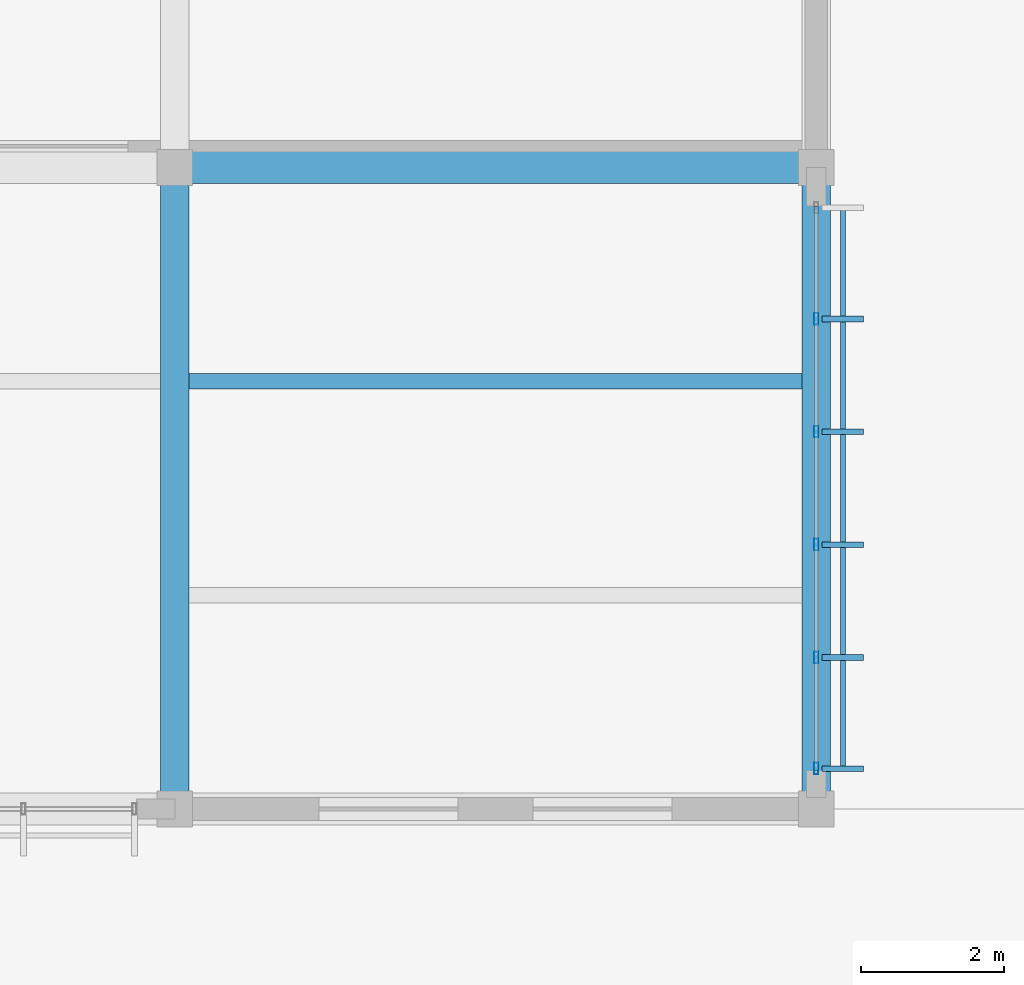
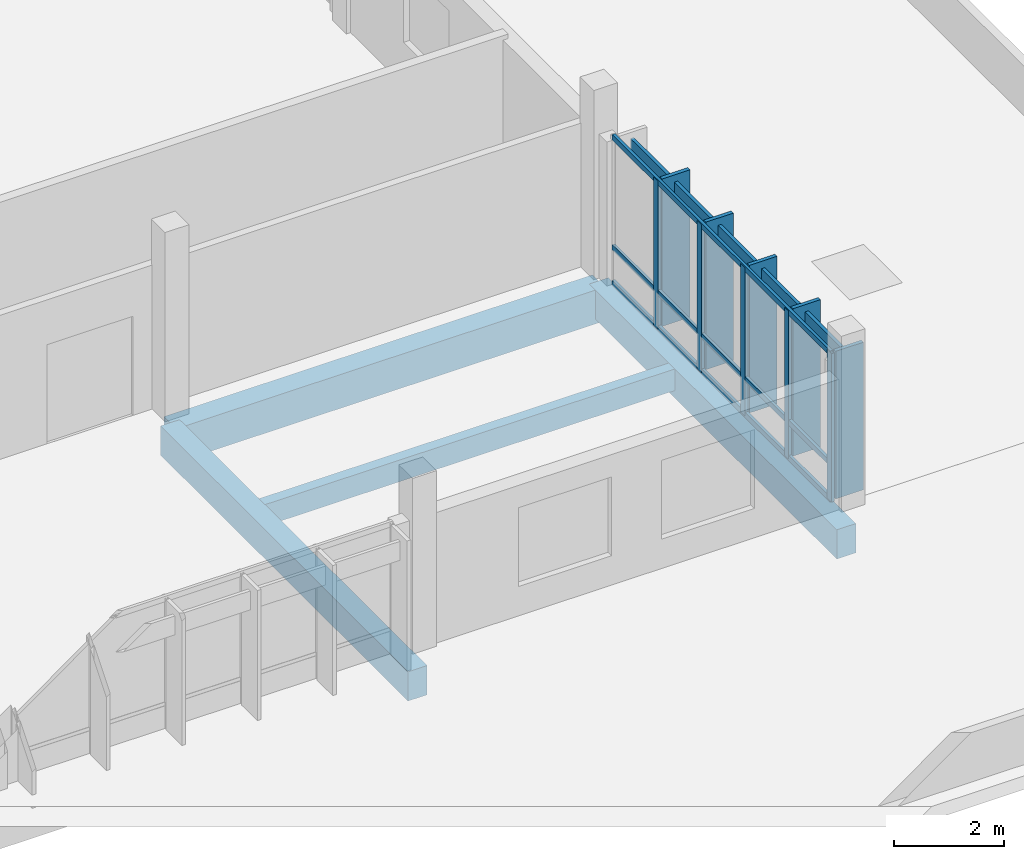
# One storey, part 59 of 107: 14 members, 4 beams, 1 element without a shape of its own.
"""IFC4 building model written with IfcOpenShell, lengths in metres."""

import ifcopenshell
import ifcopenshell.guid

model = None  # the IFC model being written
_history = None  # IfcOwnerHistory: only IFC2X3 demands one
_inside = {}  # id of a spatial element -> (the spatial element, [elements in it])
_under = {}  # id of a project, library or spatial element -> (it, [spatial elements below it])
_declared = {}  # id of a project -> (the project, [libraries it declares])
_typed = {}  # id of a type object -> (the type object, [elements of that type])
_made_of = {}  # id of a material, layer set ... -> (it, [elements and type objects made of it])


def new_model(schema):
    """Start an empty IFC model of exactly this schema.

    Asked for "IFC4X3", IfcOpenShell would pick the latest addendum, in which some entities
    have other attributes; the version numbers below select the first issue.
    IFC2X3 requires an IfcOwnerHistory on every rooted entity: one is made here for all.
    """
    global model, _history
    if schema == "IFC4X3":
        model = ifcopenshell.file(schema_version=(4, 3, 0, 0))
    else:
        model = ifcopenshell.file(schema=schema)
    _inside.clear()
    _under.clear()
    _declared.clear()
    _typed.clear()
    _made_of.clear()
    _history = None
    if model.schema == "IFC2X3":
        org = make("IfcOrganization", Name="unknown")
        user = make(
            "IfcPersonAndOrganization",
            ThePerson=make("IfcPerson", FamilyName="unknown"),
            TheOrganization=org,
        )
        app = make(
            "IfcApplication",
            ApplicationDeveloper=org,
            Version="unknown",
            ApplicationFullName="unknown",
            ApplicationIdentifier="unknown",
        )
        _history = make(
            "IfcOwnerHistory",
            OwningUser=user,
            OwningApplication=app,
            ChangeAction="ADDED",
            CreationDate=0,
        )
    return model


def make(cls, **values):
    """One entity of the class cls with the attributes given. An attribute that is None is left unset."""
    return model.create_entity(
        cls, **{name: value for name, value in values.items() if value is not None}
    )


def rooted(cls, **values):
    """An entity with a GlobalId (a new one), such as an element, a storey or a relation."""
    return make(cls, GlobalId=ifcopenshell.guid.new(), OwnerHistory=_history, **values)


def si_unit(unit_type, name, prefix=None):
    """IfcSIUnit, for example si_unit("LENGTHUNIT", "METRE", prefix="MILLI")."""
    return make("IfcSIUnit", UnitType=unit_type, Prefix=prefix, Name=name)


def assignment(units):
    """IfcUnitAssignment: the units of a project."""
    return None if units is None else make("IfcUnitAssignment", Units=units)


def point(xyz):
    """IfcCartesianPoint."""
    return None if xyz is None else make("IfcCartesianPoint", Coordinates=xyz)


def direction(xyz):
    """IfcDirection."""
    return None if xyz is None else make("IfcDirection", DirectionRatios=xyz)


def frame(location, z_axis=None, x_axis=None):
    """IfcAxis2Placement3D, a coordinate frame: its origin and axes. An axis left out is left unset."""
    return make(
        "IfcAxis2Placement3D",
        Location=point(location),
        Axis=direction(z_axis),
        RefDirection=direction(x_axis),
    )


def frame_2d(location, x_axis=None):
    """IfcAxis2Placement2D, a coordinate frame in the plane: its origin and x axis."""
    return make(
        "IfcAxis2Placement2D", Location=point(location), RefDirection=direction(x_axis)
    )


def origin():
    """The frame at (0, 0, 0) with its axes left unset."""
    return frame((0.0, 0.0, 0.0))


def origin_2d():
    """The frame at (0, 0) in the plane with its x axis left unset."""
    return frame_2d((0.0, 0.0))


def place(relative_to, where):
    """IfcLocalPlacement: puts the frame where relative to a parent placement (None: the world)."""
    return make(
        "IfcLocalPlacement", PlacementRelTo=relative_to, RelativePlacement=where
    )


def context(
    kind, dimensions, precision=None, world=None, true_north=None, identifier=None
):
    """IfcGeometricRepresentationContext, for example the 3D "Model" context."""
    return make(
        "IfcGeometricRepresentationContext",
        ContextIdentifier=identifier,
        ContextType=kind,
        CoordinateSpaceDimension=dimensions,
        Precision=precision,
        WorldCoordinateSystem=world,
        TrueNorth=true_north,
    )


def subcontext(parent, identifier, kind, view, scale=None):
    """IfcGeometricRepresentationSubContext, for example "Body" below "Model"."""
    return make(
        "IfcGeometricRepresentationSubContext",
        ContextIdentifier=identifier,
        ContextType=kind,
        ParentContext=parent,
        TargetScale=scale,
        TargetView=view,
    )


def project(units=None, contexts=None):
    """IfcProject with its units and contexts."""
    return rooted(
        "IfcProject",
        Name="project",
        RepresentationContexts=contexts,
        UnitsInContext=assignment(units),
    )


def spatial(cls, under=None, at=None, **own):
    """A site, building, storey or space (cls), placed at a placement, below another one or the project."""
    s = rooted(cls, ObjectPlacement=at, **own)
    if under is not None:
        _under.setdefault(under.id(), (under, []))[1].append(s)
    return s


def profile(cls, at=None, kind="AREA", **sizes):
    """A parametric profile (cls). Its sizes go by their IFC names, for example OverallWidth=200.0."""
    return make(cls, ProfileType=kind, Position=at, **sizes)


def rectangle(**sizes):
    """IfcRectangleProfileDef."""
    return profile("IfcRectangleProfileDef", **sizes)


def hollow_rectangle(**sizes):
    """IfcRectangleHollowProfileDef."""
    return profile("IfcRectangleHollowProfileDef", **sizes)


def extrude(swept, where, along, depth):
    """IfcExtrudedAreaSolid: the profile swept, set in the frame where, extruded along a direction by depth."""
    return make(
        "IfcExtrudedAreaSolid",
        SweptArea=swept,
        Position=where,
        ExtrudedDirection=direction(along),
        Depth=depth,
    )


def shape(context_of_items, identifier, shape_type, items):
    """IfcShapeRepresentation: the items that make up one representation, for example the "Body"."""
    return make(
        "IfcShapeRepresentation",
        ContextOfItems=context_of_items,
        RepresentationIdentifier=identifier,
        RepresentationType=shape_type,
        Items=items,
    )


def material(Name=None, Category=None):
    """IfcMaterial."""
    return make("IfcMaterial", Name=Name, Category=Category)


def material_profile(
    of_material, cross_section, Name=None, Category=None, Priority=None
):
    """IfcMaterialProfile: a cross section and its material."""
    return make(
        "IfcMaterialProfile",
        Name=Name,
        Material=of_material,
        Profile=cross_section,
        Priority=Priority,
        Category=Category,
    )


def profile_set(profiles, Name=None, composite=None):
    """IfcMaterialProfileSet."""
    return make(
        "IfcMaterialProfileSet",
        Name=Name,
        MaterialProfiles=profiles,
        CompositeProfile=composite,
    )


def made_of(thing, what):
    """Note that an element or type object is made of a material, layer set ...; save() writes the relation."""
    if what is not None:
        _made_of.setdefault(what.id(), (what, []))[1].append(thing)
    return thing


def type_object(cls, material=None, **own):
    """A type object (cls), such as IfcWallType, which elements share."""
    return made_of(rooted(cls, **own), material)


def element(
    cls,
    number,
    at=None,
    inside=None,
    cuts=None,
    type_object=None,
    material=None,
    context=None,
    identifier="Body",
    shape_type=None,
    held_by="IfcProductDefinitionShape",
    body=None,
    shapes=None,
    **own,
):
    """One element of the class cls, such as IfcWall. Its Tag is "e" and its number.

    at: its placement. inside: the storey or other place that contains it. cuts: it is an
    opening in that element (IfcRelVoidsElement). A single representation is given by context,
    identifier, shape_type and body (its items); several are given by shapes. held_by: the class
    of the entity that holds the representations. save() writes the other relations.
    """
    e = rooted(cls, Tag="e%d" % number, ObjectPlacement=at, **own)
    if body is not None:
        shapes = [shape(context, identifier, shape_type, body)]
    if shapes is not None:
        e.Representation = make(held_by, Representations=shapes)
    if inside is not None:
        _inside.setdefault(inside.id(), (inside, []))[1].append(e)
    if cuts is not None:
        rooted(
            "IfcRelVoidsElement", RelatingBuildingElement=cuts, RelatedOpeningElement=e
        )
    if type_object is not None:
        _typed.setdefault(type_object.id(), (type_object, []))[1].append(e)
    return made_of(e, material)


def aggregate(whole, parts):
    """IfcRelAggregates: a whole, such as a stair, and the parts it consists of."""
    return rooted("IfcRelAggregates", RelatingObject=whole, RelatedObjects=parts)


def save(model, path):
    """Write the relations noted so far, then the file.

    IfcRelAggregates (storeys below a building ...), IfcRelContainedInSpatialStructure (elements
    in a storey), IfcRelDefinesByType, IfcRelAssociatesMaterial and IfcRelDeclares: one each for
    every whole, place, type object, material and project.
    """
    for whole, parts in _under.values():
        aggregate(whole, parts)
    for where, things in _inside.values():
        rooted(
            "IfcRelContainedInSpatialStructure",
            RelatedElements=things,
            RelatingStructure=where,
        )
    for kind, things in _typed.values():
        rooted("IfcRelDefinesByType", RelatedObjects=things, RelatingType=kind)
    for what, things in _made_of.values():
        rooted("IfcRelAssociatesMaterial", RelatedObjects=things, RelatingMaterial=what)
    for by, libraries in _declared.values():
        rooted("IfcRelDeclares", RelatingContext=by, RelatedDefinitions=libraries)
    model.write(path)


model = new_model("IFC4")

# Units and contexts
model_context = context("Model", 3, precision=1e-05, world=origin(), true_north=direction((0.0, 1.0)))
body_context = subcontext(model_context, "Body", "Model", "MODEL_VIEW")
ifc_project = project(units=[si_unit("LENGTHUNIT", "METRE"), si_unit("AREAUNIT", "SQUARE_METRE"), si_unit("VOLUMEUNIT", "CUBIC_METRE"), si_unit("PLANEANGLEUNIT", "RADIAN"), si_unit("MASSUNIT", "GRAM", prefix="KILO")], contexts=[model_context])

# Site, building, storey
site_placement = place(None, origin())
site = spatial("IfcSite", under=ifc_project, at=site_placement, CompositionType="ELEMENT")
building_placement = place(site_placement, origin())
building = spatial("IfcBuilding", under=site, at=building_placement, Name="Chiffa Square Polytechnic", CompositionType="ELEMENT")
storey_placement = place(building_placement, frame((0.0, 0.0, 13.800048828125)))
storey = spatial("IfcBuildingStorey", under=building, at=storey_placement, Name="L03", CompositionType="ELEMENT", Elevation=13.800048828125)

# Beams
ifc_material_1 = material(Name="Concrete C35/45", Category="concrete")
ifc_material_profile_1 = material_profile(ifc_material_1, rectangle(XDim=0.39990234375, YDim=0.64990234375, at=origin_2d()), Name="RC 400x650")
ifc_profile_set_1 = profile_set([ifc_material_profile_1], Name="Concrete C35/45")
beam_type_1 = type_object("IfcBeamType", Name="BM-RC-400X650", PredefinedType="BEAM", material=ifc_profile_set_1)
for number, where, z_axis, x_axis, name in (
    (1, (130.199951171875, 103.800048828125, -0.5849609375), (0.0, 1.0, 0.0), (-1.0, 0.0, 0.0), "Primary floor girder BM-V5-L03-Y-1302-1038"),
    (2, (139.199951171875, 103.800048828125, -0.5849609375), (0.0, 1.0, 0.0), (-1.0, 0.0, 0.0), "Primary floor girder BM-V5-L03-Y-1392-1038"),
):
    element("IfcBeam", number, at=place(storey_placement, frame(where, z_axis=z_axis, x_axis=x_axis)), inside=storey, type_object=beam_type_1, Name=name, PredefinedType="BEAM", context=body_context, shape_type="SweptSolid", body=[
        extrude(rectangle(XDim=0.39990234375, YDim=0.64990234375, at=origin_2d()), origin(), (0.0, 0.0, 1.0), 9.0),
    ])
ifc_material_profile_2 = material_profile(ifc_material_1, rectangle(XDim=0.449951171875, YDim=0.75, at=origin_2d()), Name="RC 450x750")
ifc_profile_set_2 = profile_set([ifc_material_profile_2], Name="Concrete C35/45")
beam_type_2 = type_object("IfcBeamType", Name="BM-RC-450X750", PredefinedType="BEAM", material=ifc_profile_set_2)
beam_1_placement = place(storey_placement, frame((130.199951171875, 112.800048828125, -0.635009765625), z_axis=(1.0, 0.0, 0.0), x_axis=(0.0, 1.0, 0.0)))
element("IfcBeam", 3, at=beam_1_placement, inside=storey, type_object=beam_type_2, Name="Primary floor girder BM-V5-L03-X-1302-1128", PredefinedType="BEAM", context=body_context, shape_type="SweptSolid", body=[
    extrude(rectangle(XDim=0.449951171875, YDim=0.75, at=origin_2d()), origin(), (0.0, 0.0, 1.0), 9.0),
])

# Curtain wall, members
ifc_material_2 = material(Name="Aluminium EN AW-6060 T66 and glulam shading", Category="wood")
curtain_wall_type = type_object("IfcCurtainWallType", Name="CW-VERT-360X380", PredefinedType="USERDEFINED", material=ifc_material_2)
curtain_wall_placement = place(storey_placement, origin())
curtain_wall = element("IfcCurtainWall", 4, at=curtain_wall_placement, inside=storey, type_object=curtain_wall_type, Name="Curtain wall CW-V5-L03-229", ObjectType="CURTAIN WALL", PredefinedType="USERDEFINED")
ifc_material_3 = material(Name="Aluminium EN AW-6060 T66", Category="aluminium")
ifc_material_profile_3 = material_profile(ifc_material_3, hollow_rectangle(XDim=0.06005859375, YDim=0.159912109375, WallThickness=0.00390625, at=origin_2d()), Name="ALU 60x160x4")
ifc_profile_set_3 = profile_set([ifc_material_profile_3], Name="Aluminium EN AW-6060 T66")
member_type_1 = type_object("IfcMemberType", Name="CWM-ALU-65X150", PredefinedType="MULLION", material=ifc_profile_set_3)
member_1_placement = place(storey_placement, frame((139.199951171875, 104.364990234375, 0.0), z_axis=(0.0, 0.0, 1.0), x_axis=(1.0, 0.0, 0.0)))
member_1 = element("IfcMember", 5, at=member_1_placement, type_object=member_type_1, Name="Curtain wall mullion CW-V5-L03-229-M00", PredefinedType="MULLION", context=body_context, shape_type="SweptSolid", body=[
    extrude(hollow_rectangle(XDim=0.06005859375, YDim=0.159912109375, WallThickness=0.00390625, at=origin_2d()), origin(), (0.0, 0.0, 1.0), 3.294921875),
])
member_2_placement = place(storey_placement, frame((139.199951171875, 105.924072265625, 0.0), z_axis=(0.0, 0.0, 1.0), x_axis=(1.0, 0.0, 0.0)))
member_2 = element("IfcMember", 6, at=member_2_placement, type_object=member_type_1, Name="Curtain wall mullion CW-V5-L03-229-M01", PredefinedType="MULLION", context=body_context, shape_type="SweptSolid", body=[
    extrude(hollow_rectangle(XDim=0.06005859375, YDim=0.159912109375, WallThickness=0.00390625, at=origin_2d()), origin(), (0.0, 0.0, 1.0), 3.294921875),
])
member_3_placement = place(storey_placement, frame((139.199951171875, 107.508056640625, 0.0), z_axis=(0.0, 0.0, 1.0), x_axis=(1.0, 0.0, 0.0)))
member_3 = element("IfcMember", 7, at=member_3_placement, type_object=member_type_1, Name="Curtain wall mullion CW-V5-L03-229-M02", PredefinedType="MULLION", context=body_context, shape_type="SweptSolid", body=[
    extrude(hollow_rectangle(XDim=0.06005859375, YDim=0.159912109375, WallThickness=0.00390625, at=origin_2d()), origin(), (0.0, 0.0, 1.0), 3.294921875),
])
member_4_placement = place(storey_placement, frame((139.199951171875, 109.092041015625, 0.0), z_axis=(0.0, 0.0, 1.0), x_axis=(1.0, 0.0, 0.0)))
member_4 = element("IfcMember", 8, at=member_4_placement, type_object=member_type_1, Name="Curtain wall mullion CW-V5-L03-229-M03", PredefinedType="MULLION", context=body_context, shape_type="SweptSolid", body=[
    extrude(hollow_rectangle(XDim=0.06005859375, YDim=0.159912109375, WallThickness=0.00390625, at=origin_2d()), origin(), (0.0, 0.0, 1.0), 3.294921875),
])
member_5_placement = place(storey_placement, frame((139.199951171875, 110.676025390625, 0.0), z_axis=(0.0, 0.0, 1.0), x_axis=(1.0, 0.0, 0.0)))
member_5 = element("IfcMember", 9, at=member_5_placement, type_object=member_type_1, Name="Curtain wall mullion CW-V5-L03-229-M04", PredefinedType="MULLION", context=body_context, shape_type="SweptSolid", body=[
    extrude(hollow_rectangle(XDim=0.06005859375, YDim=0.159912109375, WallThickness=0.00390625, at=origin_2d()), origin(), (0.0, 0.0, 1.0), 3.294921875),
])
ifc_material_4 = material(Name="Glulam GL28h", Category="wood")
ifc_material_profile_4 = material_profile(ifc_material_4, rectangle(XDim=0.080078125, YDim=0.580078125, at=origin_2d()), Name="GL28h 80x580")
ifc_profile_set_4 = profile_set([ifc_material_profile_4], Name="Glulam GL28h")
member_type_2 = type_object("IfcMemberType", Name="CWM-GL-80X580", PredefinedType="MULLION", material=ifc_profile_set_4)
member_6_placement = place(storey_placement, frame((139.572021484375, 104.364990234375, 0.010009765625), z_axis=(0.0, 0.0, 1.0), x_axis=(0.0, 1.0, 0.0)))
member_6 = element("IfcMember", 10, at=member_6_placement, type_object=member_type_2, Name="Exterior glulam solar fin CW-V5-L03-229-FN00", PredefinedType="MULLION", context=body_context, shape_type="SweptSolid", body=[
    extrude(rectangle(XDim=0.080078125, YDim=0.580078125, at=origin_2d()), origin(), (0.0, 0.0, 1.0), 3.27490234375),
])
member_7_placement = place(storey_placement, frame((139.572021484375, 105.924072265625, 0.010009765625), z_axis=(0.0, 0.0, 1.0), x_axis=(0.0, 1.0, 0.0)))
member_7 = element("IfcMember", 11, at=member_7_placement, type_object=member_type_2, Name="Exterior glulam solar fin CW-V5-L03-229-FN01", PredefinedType="MULLION", context=body_context, shape_type="SweptSolid", body=[
    extrude(rectangle(XDim=0.080078125, YDim=0.580078125, at=origin_2d()), origin(), (0.0, 0.0, 1.0), 3.27490234375),
])
member_8_placement = place(storey_placement, frame((139.572021484375, 107.508056640625, 0.010009765625), z_axis=(0.0, 0.0, 1.0), x_axis=(0.0, 1.0, 0.0)))
member_8 = element("IfcMember", 12, at=member_8_placement, type_object=member_type_2, Name="Exterior glulam solar fin CW-V5-L03-229-FN02", PredefinedType="MULLION", context=body_context, shape_type="SweptSolid", body=[
    extrude(rectangle(XDim=0.080078125, YDim=0.580078125, at=origin_2d()), origin(), (0.0, 0.0, 1.0), 3.27490234375),
])
member_9_placement = place(storey_placement, frame((139.572021484375, 109.092041015625, 0.010009765625), z_axis=(0.0, 0.0, 1.0), x_axis=(0.0, 1.0, 0.0)))
member_9 = element("IfcMember", 13, at=member_9_placement, type_object=member_type_2, Name="Exterior glulam solar fin CW-V5-L03-229-FN03", PredefinedType="MULLION", context=body_context, shape_type="SweptSolid", body=[
    extrude(rectangle(XDim=0.080078125, YDim=0.580078125, at=origin_2d()), origin(), (0.0, 0.0, 1.0), 3.27490234375),
])
member_10_placement = place(storey_placement, frame((139.572021484375, 110.676025390625, 0.010009765625), z_axis=(0.0, 0.0, 1.0), x_axis=(0.0, 1.0, 0.0)))
member_10 = element("IfcMember", 14, at=member_10_placement, type_object=member_type_2, Name="Exterior glulam solar fin CW-V5-L03-229-FN04", PredefinedType="MULLION", context=body_context, shape_type="SweptSolid", body=[
    extrude(rectangle(XDim=0.080078125, YDim=0.580078125, at=origin_2d()), origin(), (0.0, 0.0, 1.0), 3.27490234375),
])
ifc_material_profile_5 = material_profile(ifc_material_3, hollow_rectangle(XDim=0.06005859375, YDim=0.1201171875, WallThickness=0.00390625, at=origin_2d()), Name="ALU 60x120x4")
ifc_profile_set_5 = profile_set([ifc_material_profile_5], Name="Aluminium EN AW-6060 T66")
member_type_3 = type_object("IfcMemberType", Name="CWT-ALU-65X120", PredefinedType="USERDEFINED", material=ifc_profile_set_5)
member_11_placement = place(storey_placement, frame((139.199951171875, 104.337890625, 0.030029296875), z_axis=(0.0, 1.0, 0.0), x_axis=(-1.0, 0.0, 0.0)))
member_11 = element("IfcMember", 15, at=member_11_placement, type_object=member_type_3, Name="Curtain wall transom CW-V5-L03-229-T01", ObjectType="TRANSOM", PredefinedType="USERDEFINED", context=body_context, shape_type="SweptSolid", body=[
    extrude(hollow_rectangle(XDim=0.06005859375, YDim=0.1201171875, WallThickness=0.00390625, at=origin_2d()), origin(), (0.0, 0.0, 1.0), 7.924072265625),
])
member_12_placement = place(storey_placement, frame((139.199951171875, 104.337890625, 0.820068359375), z_axis=(0.0, 1.0, 0.0), x_axis=(-1.0, 0.0, 0.0)))
member_12 = element("IfcMember", 16, at=member_12_placement, type_object=member_type_3, Name="Curtain wall transom CW-V5-L03-229-T02", ObjectType="TRANSOM", PredefinedType="USERDEFINED", context=body_context, shape_type="SweptSolid", body=[
    extrude(hollow_rectangle(XDim=0.06005859375, YDim=0.1201171875, WallThickness=0.00390625, at=origin_2d()), origin(), (0.0, 0.0, 1.0), 7.924072265625),
])
member_13_placement = place(storey_placement, frame((139.199951171875, 104.337890625, 3.264892578125), z_axis=(0.0, 1.0, 0.0), x_axis=(-1.0, 0.0, 0.0)))
member_13 = element("IfcMember", 17, at=member_13_placement, type_object=member_type_3, Name="Curtain wall transom CW-V5-L03-229-T03", ObjectType="TRANSOM", PredefinedType="USERDEFINED", context=body_context, shape_type="SweptSolid", body=[
    extrude(hollow_rectangle(XDim=0.06005859375, YDim=0.1201171875, WallThickness=0.00390625, at=origin_2d()), origin(), (0.0, 0.0, 1.0), 7.924072265625),
])
ifc_material_profile_6 = material_profile(ifc_material_4, rectangle(XDim=0.070068359375, YDim=0.419921875, at=origin_2d()), Name="GL28h 70x420")
ifc_profile_set_6 = profile_set([ifc_material_profile_6], Name="Glulam GL28h")
member_type_4 = type_object("IfcMemberType", Name="CWT-GL-70X420", PredefinedType="USERDEFINED", material=ifc_profile_set_6)
member_14_placement = place(storey_placement, frame((139.572021484375, 104.364990234375, 2.9150390625), z_axis=(0.0, 1.0, 0.0), x_axis=(-1.0, 0.0, 0.0)))
member_14 = element("IfcMember", 18, at=member_14_placement, type_object=member_type_4, Name="Exterior glulam brise-soleil CW-V5-L03-229-BS01", ObjectType="TRANSOM", PredefinedType="USERDEFINED", context=body_context, shape_type="SweptSolid", body=[
    extrude(rectangle(XDim=0.070068359375, YDim=0.419921875, at=origin_2d()), origin(), (0.0, 0.0, 1.0), 7.8701171875),
])
aggregate(curtain_wall, [member_1, member_6, member_2, member_7, member_3, member_8, member_4, member_9, member_5, member_10, member_11, member_12, member_13, member_14])

# Beam
ifc_material_profile_7 = material_profile(ifc_material_4, rectangle(XDim=0.219970703125, YDim=0.47998046875, at=origin_2d()), Name="GL28h 220x480")
ifc_profile_set_7 = profile_set([ifc_material_profile_7], Name="Glulam GL28h")
beam_type_3 = type_object("IfcBeamType", Name="JST-GL-220X480", PredefinedType="JOIST", material=ifc_profile_set_7)
beam_2_placement = place(storey_placement, frame((130.39794921875, 109.800048828125, -0.5), z_axis=(1.0, 0.0, 0.0), x_axis=(0.0, 1.0, 0.0)))
element("IfcBeam", 19, at=beam_2_placement, inside=storey, type_object=beam_type_3, Name="Secondary floor joist JST-V5-L03-1302-1098", PredefinedType="JOIST", context=body_context, shape_type="SweptSolid", body=[
    extrude(rectangle(XDim=0.219970703125, YDim=0.47998046875, at=origin_2d()), origin(), (0.0, 0.0, 1.0), 8.60400390625),
])

save(model, "model.ifc")
